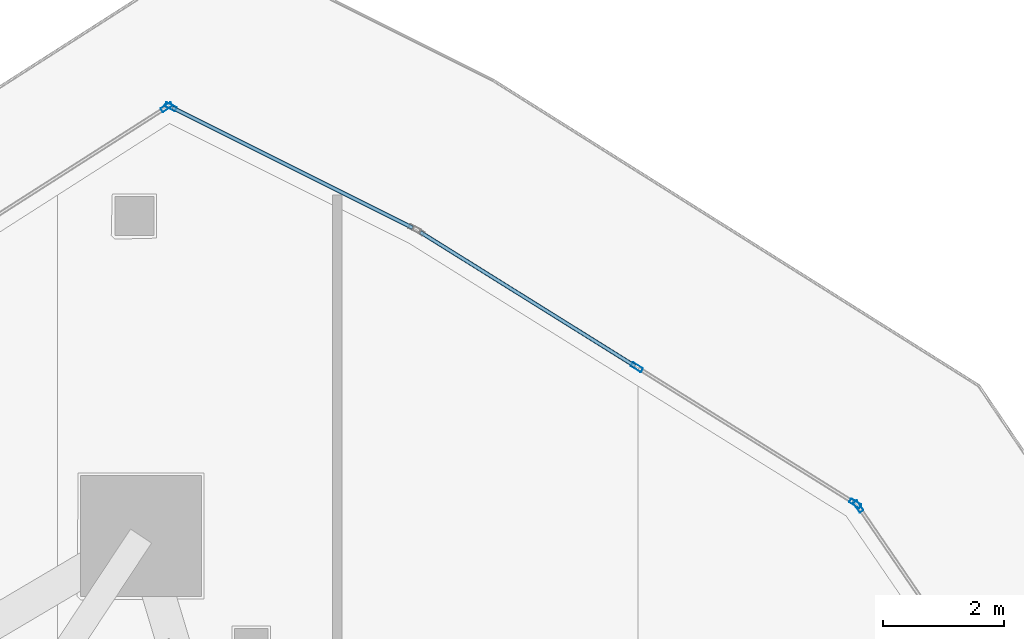
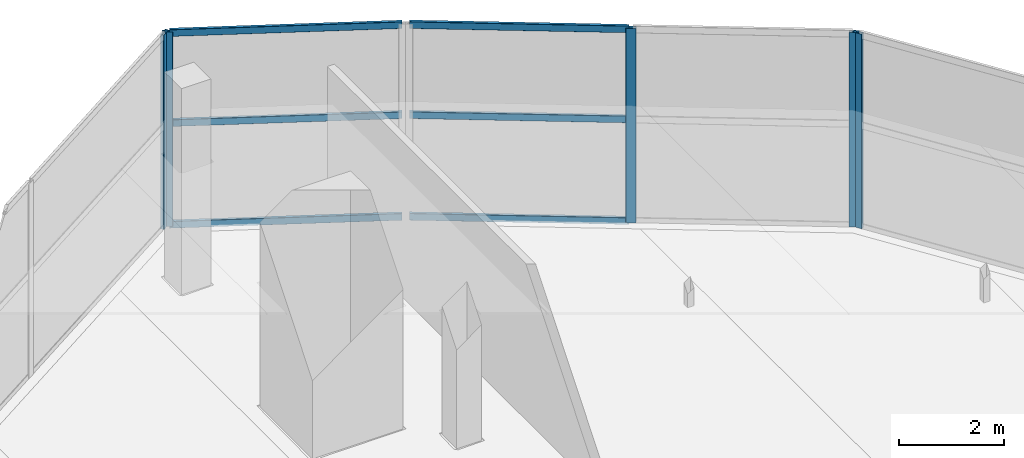
# One storey, part 21 of 36: 11 members, 4 elements without a shape of their own.
"""IFC4 building model written with IfcOpenShell, lengths in metres."""

from ifc_helpers import new_model, si_unit, direction, frame, origin, origin_2d, place, context, subcontext, project, spatial, hollow_rectangle, extrude, material, layer, layer_set, material_profile, profile_set, type_object, element, aggregate, save


model = new_model("IFC4")

# Units and contexts
model_context = context("Model", 3, precision=1e-05, world=origin(), true_north=direction((0.0, 1.0)))
body_context = subcontext(model_context, "Body", "Model", "MODEL_VIEW")
ifc_project = project(units=[si_unit("LENGTHUNIT", "METRE"), si_unit("AREAUNIT", "SQUARE_METRE"), si_unit("VOLUMEUNIT", "CUBIC_METRE"), si_unit("PLANEANGLEUNIT", "RADIAN"), si_unit("MASSUNIT", "GRAM", prefix="KILO")], contexts=[model_context])

# Site, building, storey
site_placement = place(None, origin())
site = spatial("IfcSite", under=ifc_project, at=site_placement, CompositionType="ELEMENT")
building_placement = place(site_placement, origin())
building = spatial("IfcBuilding", under=site, at=building_placement, Name="Qorvath Tower", CompositionType="ELEMENT")
storey_placement = place(building_placement, frame((0.0, 0.0, 180.0)))
storey = spatial("IfcBuildingStorey", under=building, at=storey_placement, Name="L41", CompositionType="ELEMENT", Elevation=180.0)

# Curtain wall, member
ifc_material_1 = material(Name="Anodised aluminium and triple low-E glass", Category="aluminium")
ifc_layer = layer(ifc_material_1, 0.179931640625)
ifc_layer_set = layer_set([ifc_layer], Name="CW-SYS-5")
curtain_wall_type = type_object("IfcCurtainWallType", Name="CW-SYS-5", PredefinedType="NOTDEFINED", material=ifc_layer_set)
curtain_wall_1_placement = place(storey_placement, origin())
curtain_wall_1 = element("IfcCurtainWall", 1, at=curtain_wall_1_placement, inside=storey, type_object=curtain_wall_type, Name="Curtain Wall CW-5 CW-T-L41-13.1", PredefinedType="NOTDEFINED")
ifc_material_2 = material(Name="Anodised aluminium 6063-T6", Category="aluminium")
ifc_material_profile_1 = material_profile(ifc_material_2, hollow_rectangle(XDim=0.074951171875, YDim=0.199951171875, WallThickness=0.00390625, InnerFilletRadius=0.00390625, OuterFilletRadius=0.008056640625, at=origin_2d()), Name="CWM 200x75")
ifc_profile_set_1 = profile_set([ifc_material_profile_1], Name="Anodised aluminium 6063-T6")
member_type_1 = type_object("IfcMemberType", Name="CWM-200", PredefinedType="MULLION", material=ifc_profile_set_1)
member_1_placement = place(storey_placement, frame((-4.990966796875, 22.116455078125, 0.0), z_axis=(0.0, 0.0, 1.0), x_axis=(-0.825508358689, -0.564389891595, 0.0)))
member_1 = element("IfcMember", 2, at=member_1_placement, type_object=member_type_1, Name="CW-5 mullion 2", PredefinedType="MULLION", context=body_context, shape_type="SweptSolid", body=[
    extrude(hollow_rectangle(XDim=0.074951171875, YDim=0.199951171875, WallThickness=0.00390625, InnerFilletRadius=0.00390625, OuterFilletRadius=0.008056640625, at=origin_2d()), origin(), (0.0, 0.0, 1.0), 4.530029296875),
])
aggregate(curtain_wall_1, [member_1])

# Curtain wall, members
curtain_wall_2_placement = place(storey_placement, origin())
curtain_wall_2 = element("IfcCurtainWall", 3, at=curtain_wall_2_placement, inside=storey, type_object=curtain_wall_type, Name="Curtain Wall CW-5 CW-T-L41-14.1", PredefinedType="NOTDEFINED")
member_2_placement = place(storey_placement, frame((-5.0439453125, 22.167236328125, 0.0), z_axis=(0.0, 0.0, 1.0), x_axis=(-0.529309919685, -0.848428552633, 0.0)))
member_2 = element("IfcMember", 4, at=member_2_placement, type_object=member_type_1, Name="CW-5 mullion 1", PredefinedType="MULLION", context=body_context, shape_type="SweptSolid", body=[
    extrude(hollow_rectangle(XDim=0.074951171875, YDim=0.199951171875, WallThickness=0.00390625, InnerFilletRadius=0.00390625, OuterFilletRadius=0.008056640625, at=origin_2d()), origin(), (0.0, 0.0, 1.0), 4.530029296875),
])
member_3_placement = place(storey_placement, frame((-8.66015625, 24.42333984375, 0.0), z_axis=(0.0, 0.0, 1.0), x_axis=(-0.529309919685, -0.848428552633, 0.0)))
member_3 = element("IfcMember", 5, at=member_3_placement, type_object=member_type_1, Name="CW-5 mullion 2", PredefinedType="MULLION", context=body_context, shape_type="SweptSolid", body=[
    extrude(hollow_rectangle(XDim=0.074951171875, YDim=0.199951171875, WallThickness=0.00390625, InnerFilletRadius=0.00390625, OuterFilletRadius=0.008056640625, at=origin_2d()), origin(), (0.0, 0.0, 1.0), 4.530029296875),
])

# Curtain wall, member
curtain_wall_3_placement = place(storey_placement, origin())
curtain_wall_3 = element("IfcCurtainWall", 6, at=curtain_wall_3_placement, inside=storey, type_object=curtain_wall_type, Name="Curtain Wall CW-5 CW-T-L41-15.1", PredefinedType="NOTDEFINED")
member_4_placement = place(storey_placement, frame((-16.38232421875, 28.736083984375, 0.0), z_axis=(0.0, 0.0, 1.0), x_axis=(-0.447187465635, -0.894440255455, 0.0)))
member_4 = element("IfcMember", 7, at=member_4_placement, type_object=member_type_1, Name="CW-5 mullion 2", PredefinedType="MULLION", context=body_context, shape_type="SweptSolid", body=[
    extrude(hollow_rectangle(XDim=0.074951171875, YDim=0.199951171875, WallThickness=0.00390625, InnerFilletRadius=0.00390625, OuterFilletRadius=0.008056640625, at=origin_2d()), origin(), (0.0, 0.0, 1.0), 4.530029296875),
])

curtain_wall_4_placement = place(storey_placement, origin())
curtain_wall_4 = element("IfcCurtainWall", 8, at=curtain_wall_4_placement, inside=storey, type_object=curtain_wall_type, Name="Curtain Wall CW-5 CW-T-L41-16.1", PredefinedType="NOTDEFINED")
member_5_placement = place(storey_placement, frame((-16.447509765625, 28.732666015625, 0.0), z_axis=(0.0, 0.0, 1.0), x_axis=(0.538544146891, -0.842597295183, 0.0)))
member_5 = element("IfcMember", 9, at=member_5_placement, type_object=member_type_1, Name="CW-5 mullion 1", PredefinedType="MULLION", context=body_context, shape_type="SweptSolid", body=[
    extrude(hollow_rectangle(XDim=0.074951171875, YDim=0.199951171875, WallThickness=0.00390625, InnerFilletRadius=0.00390625, OuterFilletRadius=0.008056640625, at=origin_2d()), origin(), (0.0, 0.0, 1.0), 4.530029296875),
])
aggregate(curtain_wall_4, [member_5])

# Member
ifc_material_3 = material(Name="Anodised aluminium 6063-T6", Category="aluminium")
ifc_material_profile_2 = material_profile(ifc_material_3, hollow_rectangle(XDim=0.06494140625, YDim=0.159912109375, WallThickness=0.00341796875, InnerFilletRadius=0.00341796875, OuterFilletRadius=0.007080078125, at=origin_2d()), Name="CWT 160x65")
ifc_profile_set_2 = profile_set([ifc_material_profile_2], Name="Anodised aluminium 6063-T6")
member_type_2 = type_object("IfcMemberType", Name="CWT-160", PredefinedType="USERDEFINED", material=ifc_profile_set_2)
member_6_placement = place(storey_placement, frame((-8.69189453125, 24.443115234375, 0.032470703125), z_axis=(-0.848427140376, 0.529312183378, 0.0), x_axis=(-0.529312183378, -0.848427140376, 0.0)))
member_6 = element("IfcMember", 10, at=member_6_placement, type_object=member_type_2, Name="CW-5 transom 2.1", ObjectType="TRANSOM", PredefinedType="USERDEFINED", context=body_context, shape_type="SweptSolid", body=[
    extrude(hollow_rectangle(XDim=0.06494140625, YDim=0.159912109375, WallThickness=0.00341796875, InnerFilletRadius=0.00341796875, OuterFilletRadius=0.007080078125, at=origin_2d()), origin(), (0.0, 0.0, 1.0), 4.187255859375),
])

member_7_placement = place(storey_placement, frame((-8.69189453125, 24.443115234375, 2.39990234375), z_axis=(-0.848427140376, 0.529312183378, 0.0), x_axis=(-0.529312183378, -0.848427140376, 0.0)))
member_7 = element("IfcMember", 11, at=member_7_placement, type_object=member_type_2, Name="CW-5 transom 2.2", ObjectType="TRANSOM", PredefinedType="USERDEFINED", context=body_context, shape_type="SweptSolid", body=[
    extrude(hollow_rectangle(XDim=0.06494140625, YDim=0.159912109375, WallThickness=0.00341796875, InnerFilletRadius=0.00341796875, OuterFilletRadius=0.007080078125, at=origin_2d()), origin(), (0.0, 0.0, 1.0), 4.187255859375),
])

member_8_placement = place(storey_placement, frame((-8.69189453125, 24.443115234375, 4.49755859375), z_axis=(-0.848427140376, 0.529312183378, 0.0), x_axis=(-0.529312183378, -0.848427140376, 0.0)))
member_8 = element("IfcMember", 12, at=member_8_placement, type_object=member_type_2, Name="CW-5 transom 2.3", ObjectType="TRANSOM", PredefinedType="USERDEFINED", context=body_context, shape_type="SweptSolid", body=[
    extrude(hollow_rectangle(XDim=0.06494140625, YDim=0.159912109375, WallThickness=0.00341796875, InnerFilletRadius=0.00341796875, OuterFilletRadius=0.007080078125, at=origin_2d()), origin(), (0.0, 0.0, 1.0), 4.187255859375),
])

aggregate(curtain_wall_2, [member_2, member_3, member_6, member_7, member_8])

member_9_placement = place(storey_placement, frame((-12.375244140625, 26.732666015625, 0.032470703125), z_axis=(-0.89441619944, 0.447235577944, 0.0), x_axis=(-0.447235577944, -0.89441619944, 0.0)))
member_9 = element("IfcMember", 13, at=member_9_placement, type_object=member_type_2, Name="CW-5 transom 1.1", ObjectType="TRANSOM", PredefinedType="USERDEFINED", context=body_context, shape_type="SweptSolid", body=[
    extrude(hollow_rectangle(XDim=0.06494140625, YDim=0.159912109375, WallThickness=0.00341796875, InnerFilletRadius=0.00341796875, OuterFilletRadius=0.007080078125, at=origin_2d()), origin(), (0.0, 0.0, 1.0), 4.4423828125),
])

member_10_placement = place(storey_placement, frame((-12.375244140625, 26.732666015625, 2.39990234375), z_axis=(-0.89441619944, 0.447235577944, 0.0), x_axis=(-0.447235577944, -0.89441619944, 0.0)))
member_10 = element("IfcMember", 14, at=member_10_placement, type_object=member_type_2, Name="CW-5 transom 1.2", ObjectType="TRANSOM", PredefinedType="USERDEFINED", context=body_context, shape_type="SweptSolid", body=[
    extrude(hollow_rectangle(XDim=0.06494140625, YDim=0.159912109375, WallThickness=0.00341796875, InnerFilletRadius=0.00341796875, OuterFilletRadius=0.007080078125, at=origin_2d()), origin(), (0.0, 0.0, 1.0), 4.4423828125),
])

member_11_placement = place(storey_placement, frame((-12.375244140625, 26.732666015625, 4.49755859375), z_axis=(-0.89441619944, 0.447235577944, 0.0), x_axis=(-0.447235577944, -0.89441619944, 0.0)))
member_11 = element("IfcMember", 15, at=member_11_placement, type_object=member_type_2, Name="CW-5 transom 1.3", ObjectType="TRANSOM", PredefinedType="USERDEFINED", context=body_context, shape_type="SweptSolid", body=[
    extrude(hollow_rectangle(XDim=0.06494140625, YDim=0.159912109375, WallThickness=0.00341796875, InnerFilletRadius=0.00341796875, OuterFilletRadius=0.007080078125, at=origin_2d()), origin(), (0.0, 0.0, 1.0), 4.4423828125),
])

aggregate(curtain_wall_3, [member_4, member_9, member_10, member_11])

save(model, "model.ifc")
